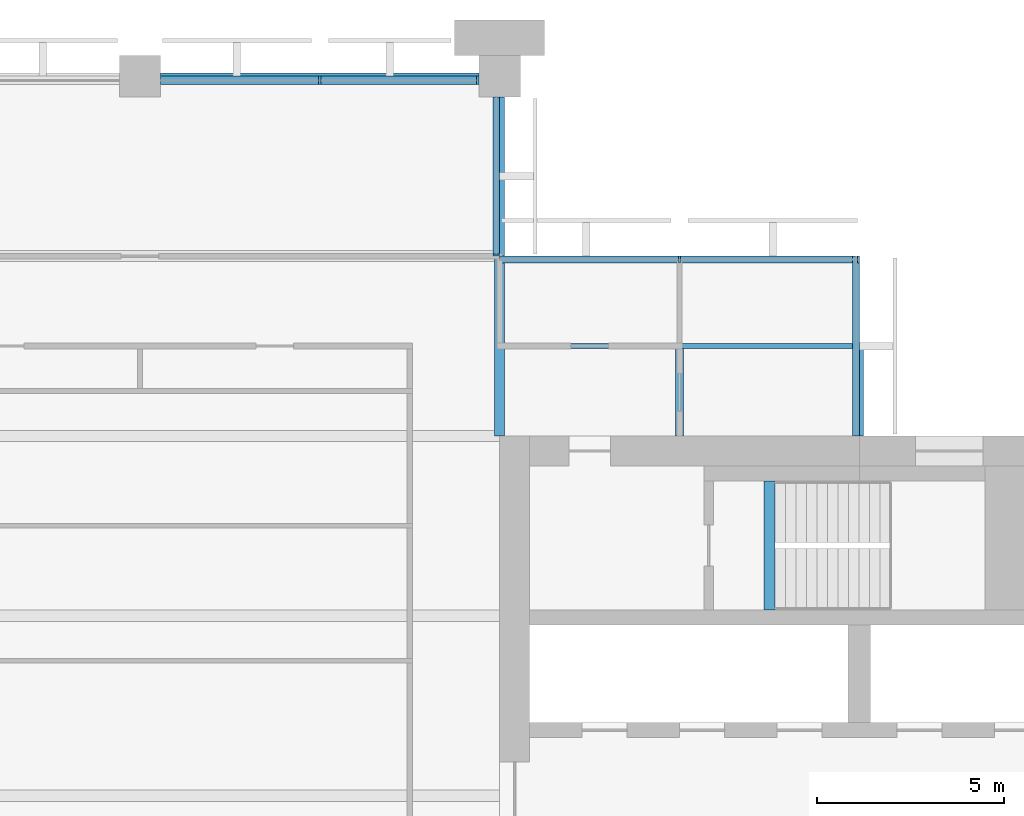
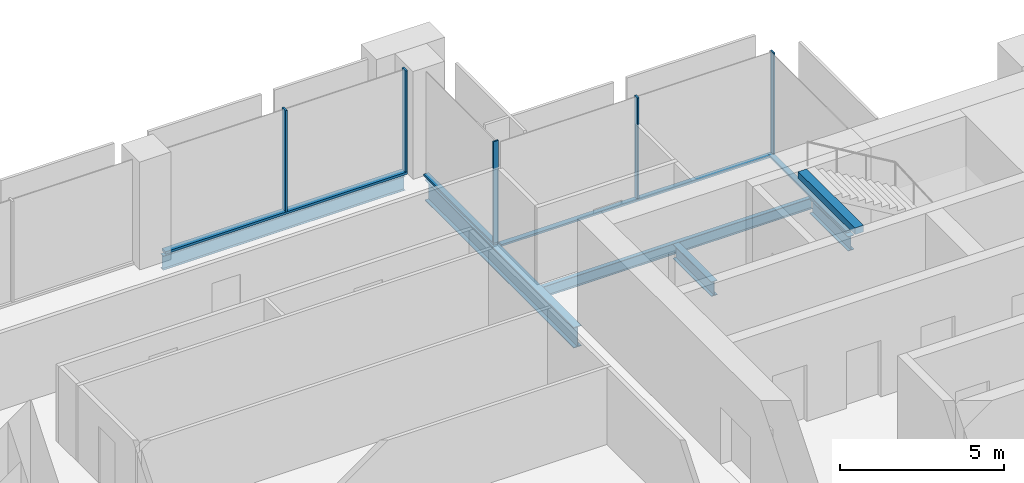
# One storey, part 6 of 13: 9 members, 6 beams, 4 elements without a shape of their own.
"""IFC4 building model written with IfcOpenShell, lengths in metres."""

import ifcopenshell
import ifcopenshell.guid

model = None  # the IFC model being written
_history = None  # IfcOwnerHistory: only IFC2X3 demands one
_inside = {}  # id of a spatial element -> (the spatial element, [elements in it])
_under = {}  # id of a project, library or spatial element -> (it, [spatial elements below it])
_declared = {}  # id of a project -> (the project, [libraries it declares])
_typed = {}  # id of a type object -> (the type object, [elements of that type])
_made_of = {}  # id of a material, layer set ... -> (it, [elements and type objects made of it])


def new_model(schema):
    """Start an empty IFC model of exactly this schema.

    Asked for "IFC4X3", IfcOpenShell would pick the latest addendum, in which some entities
    have other attributes; the version numbers below select the first issue.
    IFC2X3 requires an IfcOwnerHistory on every rooted entity: one is made here for all.
    """
    global model, _history
    if schema == "IFC4X3":
        model = ifcopenshell.file(schema_version=(4, 3, 0, 0))
    else:
        model = ifcopenshell.file(schema=schema)
    _inside.clear()
    _under.clear()
    _declared.clear()
    _typed.clear()
    _made_of.clear()
    _history = None
    if model.schema == "IFC2X3":
        org = make("IfcOrganization", Name="unknown")
        user = make(
            "IfcPersonAndOrganization",
            ThePerson=make("IfcPerson", FamilyName="unknown"),
            TheOrganization=org,
        )
        app = make(
            "IfcApplication",
            ApplicationDeveloper=org,
            Version="unknown",
            ApplicationFullName="unknown",
            ApplicationIdentifier="unknown",
        )
        _history = make(
            "IfcOwnerHistory",
            OwningUser=user,
            OwningApplication=app,
            ChangeAction="ADDED",
            CreationDate=0,
        )
    return model


def make(cls, **values):
    """One entity of the class cls with the attributes given. An attribute that is None is left unset."""
    return model.create_entity(
        cls, **{name: value for name, value in values.items() if value is not None}
    )


def rooted(cls, **values):
    """An entity with a GlobalId (a new one), such as an element, a storey or a relation."""
    return make(cls, GlobalId=ifcopenshell.guid.new(), OwnerHistory=_history, **values)


def si_unit(unit_type, name, prefix=None):
    """IfcSIUnit, for example si_unit("LENGTHUNIT", "METRE", prefix="MILLI")."""
    return make("IfcSIUnit", UnitType=unit_type, Prefix=prefix, Name=name)


def assignment(units):
    """IfcUnitAssignment: the units of a project."""
    return None if units is None else make("IfcUnitAssignment", Units=units)


def point(xyz):
    """IfcCartesianPoint."""
    return None if xyz is None else make("IfcCartesianPoint", Coordinates=xyz)


def direction(xyz):
    """IfcDirection."""
    return None if xyz is None else make("IfcDirection", DirectionRatios=xyz)


def frame(location, z_axis=None, x_axis=None):
    """IfcAxis2Placement3D, a coordinate frame: its origin and axes. An axis left out is left unset."""
    return make(
        "IfcAxis2Placement3D",
        Location=point(location),
        Axis=direction(z_axis),
        RefDirection=direction(x_axis),
    )


def frame_2d(location, x_axis=None):
    """IfcAxis2Placement2D, a coordinate frame in the plane: its origin and x axis."""
    return make(
        "IfcAxis2Placement2D", Location=point(location), RefDirection=direction(x_axis)
    )


def origin():
    """The frame at (0, 0, 0) with its axes left unset."""
    return frame((0.0, 0.0, 0.0))


def origin_2d():
    """The frame at (0, 0) in the plane with its x axis left unset."""
    return frame_2d((0.0, 0.0))


def place(relative_to, where):
    """IfcLocalPlacement: puts the frame where relative to a parent placement (None: the world)."""
    return make(
        "IfcLocalPlacement", PlacementRelTo=relative_to, RelativePlacement=where
    )


def context(
    kind, dimensions, precision=None, world=None, true_north=None, identifier=None
):
    """IfcGeometricRepresentationContext, for example the 3D "Model" context."""
    return make(
        "IfcGeometricRepresentationContext",
        ContextIdentifier=identifier,
        ContextType=kind,
        CoordinateSpaceDimension=dimensions,
        Precision=precision,
        WorldCoordinateSystem=world,
        TrueNorth=true_north,
    )


def subcontext(parent, identifier, kind, view, scale=None):
    """IfcGeometricRepresentationSubContext, for example "Body" below "Model"."""
    return make(
        "IfcGeometricRepresentationSubContext",
        ContextIdentifier=identifier,
        ContextType=kind,
        ParentContext=parent,
        TargetScale=scale,
        TargetView=view,
    )


def project(units=None, contexts=None):
    """IfcProject with its units and contexts."""
    return rooted(
        "IfcProject",
        Name="project",
        RepresentationContexts=contexts,
        UnitsInContext=assignment(units),
    )


def spatial(cls, under=None, at=None, **own):
    """A site, building, storey or space (cls), placed at a placement, below another one or the project."""
    s = rooted(cls, ObjectPlacement=at, **own)
    if under is not None:
        _under.setdefault(under.id(), (under, []))[1].append(s)
    return s


def profile(cls, at=None, kind="AREA", **sizes):
    """A parametric profile (cls). Its sizes go by their IFC names, for example OverallWidth=200.0."""
    return make(cls, ProfileType=kind, Position=at, **sizes)


def rectangle(**sizes):
    """IfcRectangleProfileDef."""
    return profile("IfcRectangleProfileDef", **sizes)


def i_section(**sizes):
    """IfcIShapeProfileDef."""
    return profile("IfcIShapeProfileDef", **sizes)


def extrude(swept, where, along, depth):
    """IfcExtrudedAreaSolid: the profile swept, set in the frame where, extruded along a direction by depth."""
    return make(
        "IfcExtrudedAreaSolid",
        SweptArea=swept,
        Position=where,
        ExtrudedDirection=direction(along),
        Depth=depth,
    )


def shape(context_of_items, identifier, shape_type, items):
    """IfcShapeRepresentation: the items that make up one representation, for example the "Body"."""
    return make(
        "IfcShapeRepresentation",
        ContextOfItems=context_of_items,
        RepresentationIdentifier=identifier,
        RepresentationType=shape_type,
        Items=items,
    )


def material(Name=None, Category=None):
    """IfcMaterial."""
    return make("IfcMaterial", Name=Name, Category=Category)


def material_profile(
    of_material, cross_section, Name=None, Category=None, Priority=None
):
    """IfcMaterialProfile: a cross section and its material."""
    return make(
        "IfcMaterialProfile",
        Name=Name,
        Material=of_material,
        Profile=cross_section,
        Priority=Priority,
        Category=Category,
    )


def profile_set(profiles, Name=None, composite=None):
    """IfcMaterialProfileSet."""
    return make(
        "IfcMaterialProfileSet",
        Name=Name,
        MaterialProfiles=profiles,
        CompositeProfile=composite,
    )


def made_of(thing, what):
    """Note that an element or type object is made of a material, layer set ...; save() writes the relation."""
    if what is not None:
        _made_of.setdefault(what.id(), (what, []))[1].append(thing)
    return thing


def type_object(cls, material=None, **own):
    """A type object (cls), such as IfcWallType, which elements share."""
    return made_of(rooted(cls, **own), material)


def element(
    cls,
    number,
    at=None,
    inside=None,
    cuts=None,
    type_object=None,
    material=None,
    context=None,
    identifier="Body",
    shape_type=None,
    held_by="IfcProductDefinitionShape",
    body=None,
    shapes=None,
    **own,
):
    """One element of the class cls, such as IfcWall. Its Tag is "e" and its number.

    at: its placement. inside: the storey or other place that contains it. cuts: it is an
    opening in that element (IfcRelVoidsElement). A single representation is given by context,
    identifier, shape_type and body (its items); several are given by shapes. held_by: the class
    of the entity that holds the representations. save() writes the other relations.
    """
    e = rooted(cls, Tag="e%d" % number, ObjectPlacement=at, **own)
    if body is not None:
        shapes = [shape(context, identifier, shape_type, body)]
    if shapes is not None:
        e.Representation = make(held_by, Representations=shapes)
    if inside is not None:
        _inside.setdefault(inside.id(), (inside, []))[1].append(e)
    if cuts is not None:
        rooted(
            "IfcRelVoidsElement", RelatingBuildingElement=cuts, RelatedOpeningElement=e
        )
    if type_object is not None:
        _typed.setdefault(type_object.id(), (type_object, []))[1].append(e)
    return made_of(e, material)


def aggregate(whole, parts):
    """IfcRelAggregates: a whole, such as a stair, and the parts it consists of."""
    return rooted("IfcRelAggregates", RelatingObject=whole, RelatedObjects=parts)


def save(model, path):
    """Write the relations noted so far, then the file.

    IfcRelAggregates (storeys below a building ...), IfcRelContainedInSpatialStructure (elements
    in a storey), IfcRelDefinesByType, IfcRelAssociatesMaterial and IfcRelDeclares: one each for
    every whole, place, type object, material and project.
    """
    for whole, parts in _under.values():
        aggregate(whole, parts)
    for where, things in _inside.values():
        rooted(
            "IfcRelContainedInSpatialStructure",
            RelatedElements=things,
            RelatingStructure=where,
        )
    for kind, things in _typed.values():
        rooted("IfcRelDefinesByType", RelatedObjects=things, RelatingType=kind)
    for what, things in _made_of.values():
        rooted("IfcRelAssociatesMaterial", RelatedObjects=things, RelatingMaterial=what)
    for by, libraries in _declared.values():
        rooted("IfcRelDeclares", RelatingContext=by, RelatedDefinitions=libraries)
    model.write(path)


model = new_model("IFC4")

# Units and contexts
model_context = context("Model", 3, precision=1e-05, world=origin(), true_north=direction((0.0, 1.0)))
body_context = subcontext(model_context, "Body", "Model", "MODEL_VIEW")
ifc_project = project(units=[si_unit("LENGTHUNIT", "METRE"), si_unit("AREAUNIT", "SQUARE_METRE"), si_unit("VOLUMEUNIT", "CUBIC_METRE"), si_unit("PLANEANGLEUNIT", "RADIAN"), si_unit("MASSUNIT", "GRAM", prefix="KILO")], contexts=[model_context])

# Site, building, storey
site_placement = place(None, origin())
site = spatial("IfcSite", under=ifc_project, at=site_placement, CompositionType="ELEMENT")
building_placement = place(site_placement, origin())
building = spatial("IfcBuilding", under=site, at=building_placement, Name="Baori Bourse Tower", CompositionType="ELEMENT")
storey_placement = place(building_placement, frame((0.0, 0.0, 241.199951171875)))
storey = spatial("IfcBuildingStorey", under=building, at=storey_placement, Name="L53", CompositionType="ELEMENT", Elevation=241.199951171875)

# Curtain wall, members
ifc_material_1 = material(Name="Pale anodised aluminium", Category="aluminium")
curtain_wall_type_1 = type_object("IfcCurtainWallType", Name="CW2 Curtain wall", PredefinedType="NOTDEFINED", material=ifc_material_1)
curtain_wall_1_placement = place(storey_placement, origin())
curtain_wall_1 = element("IfcCurtainWall", 1, at=curtain_wall_1_placement, inside=storey, type_object=curtain_wall_type_1, Name="Curtain wall CW2 L53 2", PredefinedType="NOTDEFINED")
ifc_material_2 = material(Name="Pale anodised aluminium", Category="aluminium")
ifc_material_profile_1 = material_profile(ifc_material_2, rectangle(XDim=0.179931640625, YDim=0.054931640625, at=origin_2d()), Name="Mullion 55x180")
ifc_profile_set_1 = profile_set([ifc_material_profile_1], Name="Pale anodised aluminium")
member_type_1 = type_object("IfcMemberType", Name="CW2 Curtain wall mullion", PredefinedType="MULLION", material=ifc_profile_set_1)
member_1_placement = place(storey_placement, frame((47.972412109375, 43.110107421875, 0.070068359375), z_axis=(0.0, 0.0, 1.0), x_axis=(0.0, -1.0, 0.0)))
member_1 = element("IfcMember", 2, at=member_1_placement, type_object=member_type_1, Name="Curtain wall CW2 mullion", PredefinedType="MULLION", context=body_context, shape_type="SweptSolid", body=[
    extrude(rectangle(XDim=0.179931640625, YDim=0.054931640625, at=origin_2d()), origin(), (0.0, 0.0, 1.0), 3.77001953125),
])
member_2_placement = place(storey_placement, frame((43.199951171875, 43.110107421875, 0.070068359375), z_axis=(0.0, 0.0, 1.0), x_axis=(0.0, -1.0, 0.0)))
member_2 = element("IfcMember", 3, at=member_2_placement, type_object=member_type_1, Name="Curtain wall CW2 mullion", PredefinedType="MULLION", context=body_context, shape_type="SweptSolid", body=[
    extrude(rectangle(XDim=0.179931640625, YDim=0.054931640625, at=origin_2d()), origin(), (0.0, 0.0, 1.0), 3.77001953125),
])

# Curtain wall, member
curtain_wall_2_placement = place(storey_placement, origin())
curtain_wall_2 = element("IfcCurtainWall", 4, at=curtain_wall_2_placement, inside=storey, type_object=curtain_wall_type_1, Name="Curtain wall CW2 L53 3", PredefinedType="NOTDEFINED")
member_3_placement = place(storey_placement, frame((38.31005859375, 43.2275390625, 0.070068359375), z_axis=(0.0, 0.0, 1.0), x_axis=(-1.0, 0.0, 0.0)))
member_3 = element("IfcMember", 5, at=member_3_placement, type_object=member_type_1, Name="Curtain wall CW2 mullion", PredefinedType="MULLION", context=body_context, shape_type="SweptSolid", body=[
    extrude(rectangle(XDim=0.179931640625, YDim=0.054931640625, at=origin_2d()), origin(), (0.0, 0.0, 1.0), 3.77001953125),
])

curtain_wall_3_placement = place(storey_placement, origin())
curtain_wall_3 = element("IfcCurtainWall", 6, at=curtain_wall_3_placement, inside=storey, type_object=curtain_wall_type_1, Name="Curtain wall CW2 L53 1", PredefinedType="NOTDEFINED")
ifc_material_3 = material(Name="Pale anodised aluminium", Category="aluminium")
ifc_material_profile_2 = material_profile(ifc_material_3, rectangle(XDim=0.179931640625, YDim=0.070068359375, at=origin_2d()), Name="Transom 70x180")
ifc_profile_set_2 = profile_set([ifc_material_profile_2], Name="Pale anodised aluminium")
member_type_2 = type_object("IfcMemberType", Name="CW2 Curtain wall transom", PredefinedType="USERDEFINED", material=ifc_profile_set_2)
member_4_placement = place(storey_placement, frame((47.909912109375, 38.39990234375, 0.03515625), z_axis=(0.0, 1.0, 0.0), x_axis=(-1.0, 0.0, 0.0)))
member_4 = element("IfcMember", 7, at=member_4_placement, type_object=member_type_2, Name="Curtain wall CW2 sill rail", ObjectType="TRANSOM", PredefinedType="USERDEFINED", context=body_context, shape_type="SweptSolid", body=[
    extrude(rectangle(XDim=0.179931640625, YDim=0.070068359375, at=origin_2d()), origin(), (0.0, 0.0, 1.0), 4.800048828125),
])
aggregate(curtain_wall_3, [member_4])

# Member
member_5_placement = place(storey_placement, frame((48.0, 43.110107421875, 0.03515625), z_axis=(-1.0, 0.0, 0.0), x_axis=(0.0, -1.0, 0.0)))
member_5 = element("IfcMember", 8, at=member_5_placement, type_object=member_type_2, Name="Curtain wall CW2 sill rail", ObjectType="TRANSOM", PredefinedType="USERDEFINED", context=body_context, shape_type="SweptSolid", body=[
    extrude(rectangle(XDim=0.179931640625, YDim=0.070068359375, at=origin_2d()), origin(), (0.0, 0.0, 1.0), 9.60009765625),
])

aggregate(curtain_wall_1, [member_5, member_1, member_2])

member_6_placement = place(storey_placement, frame((38.31005859375, 43.199951171875, 0.03515625), z_axis=(0.0, 1.0, 0.0), x_axis=(-1.0, 0.0, 0.0)))
member_6 = element("IfcMember", 9, at=member_6_placement, type_object=member_type_2, Name="Curtain wall CW2 sill rail", ObjectType="TRANSOM", PredefinedType="USERDEFINED", context=body_context, shape_type="SweptSolid", body=[
    extrude(rectangle(XDim=0.179931640625, YDim=0.070068359375, at=origin_2d()), origin(), (0.0, 0.0, 1.0), 4.25),
])

aggregate(curtain_wall_2, [member_6, member_3])

# Curtain wall, members
ifc_material_4 = material(Name="Pale anodised aluminium", Category="aluminium")
curtain_wall_type_2 = type_object("IfcCurtainWallType", Name="CW5 Curtain wall", PredefinedType="NOTDEFINED", material=ifc_material_4)
curtain_wall_4_placement = place(storey_placement, origin())
curtain_wall_4 = element("IfcCurtainWall", 10, at=curtain_wall_4_placement, inside=storey, type_object=curtain_wall_type_2, Name="Curtain wall CW5 L53 4", PredefinedType="NOTDEFINED")
ifc_material_5 = material(Name="Pale anodised aluminium", Category="aluminium")
ifc_material_profile_3 = material_profile(ifc_material_5, rectangle(XDim=0.219970703125, YDim=0.06494140625, at=origin_2d()), Name="Mullion 65x220")
ifc_profile_set_3 = profile_set([ifc_material_profile_3], Name="Pale anodised aluminium")
member_type_3 = type_object("IfcMemberType", Name="CW5 Curtain wall mullion", PredefinedType="MULLION", material=ifc_profile_set_3)
member_7_placement = place(storey_placement, frame((37.8173828125, 47.889892578125, 0.0849609375), z_axis=(0.0, 0.0, 1.0), x_axis=(0.0, -1.0, 0.0)))
member_7 = element("IfcMember", 11, at=member_7_placement, type_object=member_type_3, Name="Curtain wall CW5 mullion", PredefinedType="MULLION", context=body_context, shape_type="SweptSolid", body=[
    extrude(rectangle(XDim=0.219970703125, YDim=0.06494140625, at=origin_2d()), origin(), (0.0, 0.0, 1.0), 3.755126953125),
])
member_8_placement = place(storey_placement, frame((33.60009765625, 47.889892578125, 0.0849609375), z_axis=(0.0, 0.0, 1.0), x_axis=(0.0, -1.0, 0.0)))
member_8 = element("IfcMember", 12, at=member_8_placement, type_object=member_type_3, Name="Curtain wall CW5 mullion", PredefinedType="MULLION", context=body_context, shape_type="SweptSolid", body=[
    extrude(rectangle(XDim=0.219970703125, YDim=0.06494140625, at=origin_2d()), origin(), (0.0, 0.0, 1.0), 3.755126953125),
])
ifc_material_6 = material(Name="Pale anodised aluminium", Category="aluminium")
ifc_material_profile_4 = material_profile(ifc_material_6, rectangle(XDim=0.219970703125, YDim=0.0849609375, at=origin_2d()), Name="Transom 85x220")
ifc_profile_set_4 = profile_set([ifc_material_profile_4], Name="Pale anodised aluminium")
member_type_4 = type_object("IfcMemberType", Name="CW5 Curtain wall transom", PredefinedType="USERDEFINED", material=ifc_profile_set_4)
member_9_placement = place(storey_placement, frame((37.85009765625, 47.889892578125, 0.04248046875), z_axis=(-1.0, 0.0, 0.0), x_axis=(0.0, -1.0, 0.0)))
member_9 = element("IfcMember", 13, at=member_9_placement, type_object=member_type_4, Name="Curtain wall CW5 sill rail", ObjectType="TRANSOM", PredefinedType="USERDEFINED", context=body_context, shape_type="SweptSolid", body=[
    extrude(rectangle(XDim=0.219970703125, YDim=0.0849609375, at=origin_2d()), origin(), (0.0, 0.0, 1.0), 8.5),
])
aggregate(curtain_wall_4, [member_9, member_7, member_8])

# Beams
ifc_material_7 = material(Name="Steel A992 Gr 50", Category="steel")
ifc_material_profile_5 = material_profile(ifc_material_7, i_section(OverallWidth=0.21240234375, OverallDepth=0.54345703125, WebThickness=0.01318359375, FlangeThickness=0.021240234375, at=origin_2d()), Name="W21x83")
ifc_profile_set_5 = profile_set([ifc_material_profile_5], Name="Steel A992 Gr 50")
beam_type_1 = type_object("IfcBeamType", Name="Core bracket W21x83", PredefinedType="BEAM", material=ifc_profile_set_5)
for number, where, z_axis, x_axis, name in (
    (14, (43.199951171875, 38.39990234375, -0.431640625), (0.0, 1.0, 0.0), (-1.0, 0.0, 0.0), "Core bracket L53"),
    (15, (48.0, 38.39990234375, -0.431640625), (0.0, 1.0, 0.0), (-1.0, 0.0, 0.0), "Core bracket L53"),
):
    element("IfcBeam", number, at=place(storey_placement, frame(where, z_axis=z_axis, x_axis=x_axis)), inside=storey, type_object=beam_type_1, Name=name, PredefinedType="BEAM", context=body_context, shape_type="SweptSolid", body=[
        extrude(i_section(OverallWidth=0.21240234375, OverallDepth=0.54345703125, WebThickness=0.01318359375, FlangeThickness=0.021240234375, at=origin_2d()), origin(), (0.0, 0.0, 1.0), 2.329833984375),
    ])
ifc_material_8 = material(Name="Steel A992 Gr 50", Category="steel")
ifc_material_profile_6 = material_profile(ifc_material_8, i_section(OverallWidth=0.1650390625, OverallDepth=0.52587890625, WebThickness=0.0087890625, FlangeThickness=0.011474609375, at=origin_2d()), Name="W21x44")
ifc_profile_set_6 = profile_set([ifc_material_profile_6], Name="Steel A992 Gr 50")
beam_type_2 = type_object("IfcBeamType", Name="Edge beam W21x44", PredefinedType="BEAM", material=ifc_profile_set_6)
beam_1_placement = place(storey_placement, frame((29.35009765625, 48.0, -0.4228515625), z_axis=(1.0, 0.0, 0.0), x_axis=(0.0, 1.0, 0.0)))
element("IfcBeam", 16, at=beam_1_placement, inside=storey, type_object=beam_type_2, Name="Edge beam L53", PredefinedType="BEAM", context=body_context, shape_type="SweptSolid", body=[
    extrude(i_section(OverallWidth=0.1650390625, OverallDepth=0.52587890625, WebThickness=0.0087890625, FlangeThickness=0.011474609375, at=origin_2d()), origin(), (0.0, 0.0, 1.0), 8.5),
])
ifc_material_9 = material(Name="Steel A992 Gr 50", Category="steel")
ifc_material_profile_7 = material_profile(ifc_material_9, i_section(OverallWidth=0.2666015625, OverallDepth=0.76953125, WebThickness=0.015625, FlangeThickness=0.025390625, at=origin_2d()), Name="W30x132")
ifc_profile_set_7 = profile_set([ifc_material_profile_7], Name="Steel A992 Gr 50")
beam_type_3 = type_object("IfcBeamType", Name="Girder W30x132", PredefinedType="BEAM", material=ifc_profile_set_7)
beam_2_placement = place(storey_placement, frame((38.39990234375, 38.39990234375, -0.544677734375), z_axis=(0.0, 1.0, 0.0), x_axis=(-1.0, 0.0, 0.0)))
element("IfcBeam", 17, at=beam_2_placement, inside=storey, type_object=beam_type_3, Name="Girder L53", PredefinedType="BEAM", context=body_context, shape_type="SweptSolid", body=[
    extrude(i_section(OverallWidth=0.2666015625, OverallDepth=0.76953125, WebThickness=0.015625, FlangeThickness=0.025390625, at=origin_2d()), origin(), (0.0, 0.0, 1.0), 9.050048828125),
])
ifc_material_10 = material(Name="Concrete f'c 50 MPa", Category="concrete")
ifc_material_profile_8 = material_profile(ifc_material_10, rectangle(XDim=0.300048828125, YDim=0.25, at=origin_2d()), Name="RC 300x250")
ifc_profile_set_8 = profile_set([ifc_material_profile_8], Name="Concrete f'c 50 MPa")
beam_type_4 = type_object("IfcBeamType", Name="Stair nib beam RC 300x250", PredefinedType="BEAM", material=ifc_profile_set_8)
beam_3_placement = place(storey_placement, frame((45.60009765625, 33.75, 3.715087890625), z_axis=(0.0, 1.0, 0.0), x_axis=(-1.0, 0.0, 0.0)))
element("IfcBeam", 18, at=beam_3_placement, inside=storey, type_object=beam_type_4, Name="Stair EB nib beam L54", PredefinedType="BEAM", context=body_context, shape_type="SweptSolid", body=[
    extrude(rectangle(XDim=0.300048828125, YDim=0.25, at=origin_2d()), origin(), (0.0, 0.0, 1.0), 3.449951171875),
])
ifc_material_11 = material(Name="Steel A992 Gr 50", Category="steel")
ifc_material_profile_9 = material_profile(ifc_material_11, i_section(OverallWidth=0.140380859375, OverallDepth=0.40380859375, WebThickness=0.007080078125, FlangeThickness=0.01123046875, at=origin_2d()), Name="W16x31")
ifc_profile_set_9 = profile_set([ifc_material_profile_9], Name="Steel A992 Gr 50")
beam_type_5 = type_object("IfcBeamType", Name="Trimmer beam W16x31", PredefinedType="BEAM", material=ifc_profile_set_9)
beam_4_placement = place(storey_placement, frame((38.533447265625, 40.800048828125, -0.36181640625), z_axis=(1.0, 0.0, 0.0), x_axis=(0.0, 1.0, 0.0)))
element("IfcBeam", 19, at=beam_4_placement, inside=storey, type_object=beam_type_5, Name="Trimmer beam L53", PredefinedType="BEAM", context=body_context, shape_type="SweptSolid", body=[
    extrude(i_section(OverallWidth=0.140380859375, OverallDepth=0.40380859375, WebThickness=0.007080078125, FlangeThickness=0.01123046875, at=origin_2d()), origin(), (0.0, 0.0, 1.0), 9.466552734375),
])

save(model, "model.ifc")
